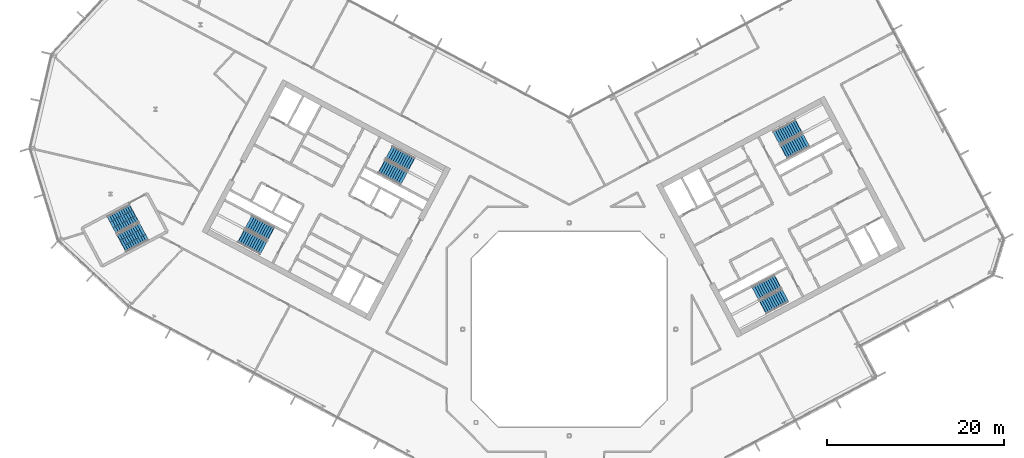
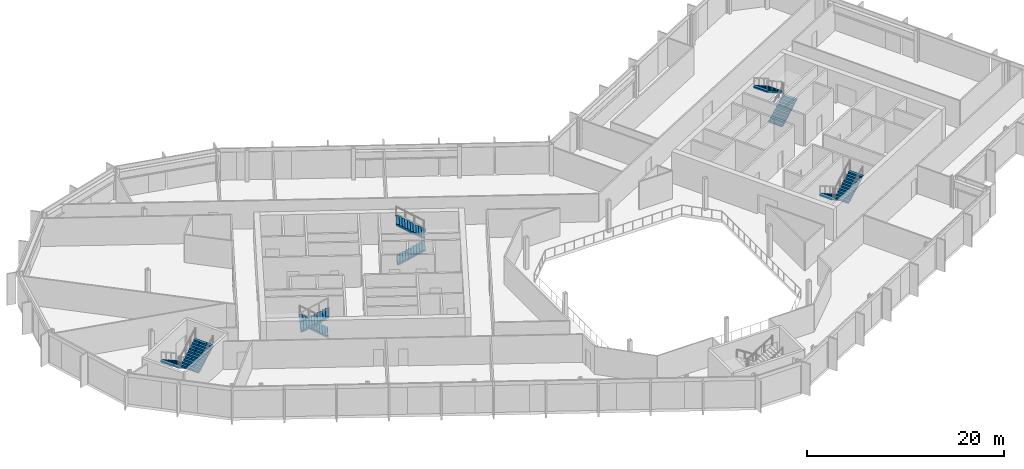
# One storey, part 17 of 26: 10 stair flights, 5 elements without a shape of their own.
"""IFC4 building model written with IfcOpenShell, lengths in metres."""

from ifc_helpers import new_model, si_unit, direction, frame, origin, place, context, subcontext, project, spatial, polyline, outline, extrude, material, type_object, element, aggregate, save


model = new_model("IFC4")

# Units and contexts
model_context = context("Model", 3, precision=1e-05, world=origin(), true_north=direction((0.0, 1.0)))
body_context = subcontext(model_context, "Body", "Model", "MODEL_VIEW")
ifc_project = project(units=[si_unit("LENGTHUNIT", "METRE"), si_unit("AREAUNIT", "SQUARE_METRE"), si_unit("VOLUMEUNIT", "CUBIC_METRE"), si_unit("PLANEANGLEUNIT", "RADIAN"), si_unit("MASSUNIT", "GRAM", prefix="KILO")], contexts=[model_context])

# Site, building, storey
site_placement = place(None, origin())
site = spatial("IfcSite", under=ifc_project, at=site_placement, CompositionType="ELEMENT")
building_placement = place(site_placement, origin())
building = spatial("IfcBuilding", under=site, at=building_placement, Name="Cormorant Relay Tower", CompositionType="ELEMENT")
storey_placement = place(building_placement, frame((0.0, 0.0, 248.10009765625)))
storey = spatial("IfcBuildingStorey", under=building, at=storey_placement, Name="L55", CompositionType="ELEMENT", Elevation=248.10009765625)

# Stair, stair flights
ifc_material_1 = material(Name="Concrete 40 MPa", Category="concrete")
stair_type_1 = type_object("IfcStairType", Name="Exit stair 1500", PredefinedType="HALF_TURN_STAIR", material=ifc_material_1)
stair_1_placement = place(storey_placement, origin())
stair_1 = element("IfcStair", 1, at=stair_1_placement, inside=storey, type_object=stair_type_1, Name="L55 Stair", PredefinedType="HALF_TURN_STAIR")
ifc_material_2 = material(Name="Concrete 40 MPa", Category="concrete")
stair_flight_type_1 = type_object("IfcStairFlightType", Name="Exit stair flight 1650", PredefinedType="STRAIGHT", material=ifc_material_2)
stair_flight_1_placement = place(storey_placement, frame((-21.114501953125, 18.33349609375, 0.0), z_axis=(0.0, 0.0, 1.0), x_axis=(0.882947592859, -0.469471562786, 0.0)))
stair_flight_1 = element("IfcStairFlight", 2, at=stair_flight_1_placement, type_object=stair_flight_type_1, Name="A1 flight 1", NumberOfRisers=11, NumberOfTreads=10, PredefinedType="STRAIGHT", RiserHeight=0.177272727, TreadLength=0.28, context=body_context, shape_type="SweptSolid", body=[
    extrude(outline(polyline([(-0.050048828125, -0.080078125), (-0.050048828125, 0.0), (0.0, 0.0), (0.0, 0.17724609375), (0.280029296875, 0.17724609375), (0.280029296875, 0.3544921875), (0.56005859375, 0.3544921875), (0.56005859375, 0.53173828125), (0.840087890625, 0.53173828125), (0.840087890625, 0.708984375), (1.1201171875, 0.708984375), (1.1201171875, 0.886474609375), (1.39990234375, 0.886474609375), (1.39990234375, 1.063720703125), (1.679931640625, 1.063720703125), (1.679931640625, 1.240966796875), (1.9599609375, 1.240966796875), (1.9599609375, 1.418212890625), (2.239990234375, 1.418212890625), (2.239990234375, 1.595458984375), (2.52001953125, 1.595458984375), (2.52001953125, 1.772705078125), (2.800048828125, 1.772705078125), (2.85009765625, 1.772705078125), (2.85009765625, 1.59521484375), (2.800048828125, 1.59521484375), (0.2802734375, 0.0), (-0.050048828125, -0.080078125)])), frame((0.0, 0.824951171875, 0.0), z_axis=(0.0, -1.0, 0.0), x_axis=(1.0, 0.0, 0.0)), (0.0, 0.0, 1.0), 1.64990234375),
])
stair_flight_2_placement = place(storey_placement, frame((-17.797119140625, 18.6083984375, 1.949951171875), z_axis=(0.0, 0.0, 1.0), x_axis=(-0.882947592859, 0.469471562786, 0.0)))
stair_flight_2 = element("IfcStairFlight", 3, at=stair_flight_2_placement, type_object=stair_flight_type_1, Name="A1 flight 2", NumberOfRisers=11, NumberOfTreads=10, PredefinedType="STRAIGHT", RiserHeight=0.177272727, TreadLength=0.28, context=body_context, shape_type="SweptSolid", body=[
    extrude(outline(polyline([(-0.050048828125, -0.080078125), (-0.050048828125, 0.0), (0.0, 0.0), (0.0, 0.17724609375), (0.280029296875, 0.17724609375), (0.280029296875, 0.3544921875), (0.56005859375, 0.3544921875), (0.56005859375, 0.53173828125), (0.840087890625, 0.53173828125), (0.840087890625, 0.708984375), (1.1201171875, 0.708984375), (1.1201171875, 0.886474609375), (1.39990234375, 0.886474609375), (1.39990234375, 1.063720703125), (1.679931640625, 1.063720703125), (1.679931640625, 1.240966796875), (1.9599609375, 1.240966796875), (1.9599609375, 1.418212890625), (2.239990234375, 1.418212890625), (2.239990234375, 1.595458984375), (2.52001953125, 1.595458984375), (2.52001953125, 1.772705078125), (2.800048828125, 1.772705078125), (2.85009765625, 1.772705078125), (2.85009765625, 1.59521484375), (2.800048828125, 1.59521484375), (0.2802734375, 0.0), (-0.050048828125, -0.080078125)])), frame((0.0, 0.824951171875, 0.0), z_axis=(0.0, -1.0, 0.0), x_axis=(1.0, 0.0, 0.0)), (0.0, 0.0, 1.0), 1.64990234375),
])
aggregate(stair_1, [stair_flight_1, stair_flight_2])

stair_2_placement = place(storey_placement, origin())
stair_2 = element("IfcStair", 4, at=stair_2_placement, inside=storey, type_object=stair_type_1, Name="L55 Stair", PredefinedType="HALF_TURN_STAIR")
stair_flight_3_placement = place(storey_placement, frame((-33.62841796875, 10.773681640625, 0.0), z_axis=(0.0, 0.0, 1.0), x_axis=(-0.882947592859, 0.469471562786, 0.0)))
stair_flight_3 = element("IfcStairFlight", 5, at=stair_flight_3_placement, type_object=stair_flight_type_1, Name="A2 flight 1", NumberOfRisers=11, NumberOfTreads=10, PredefinedType="STRAIGHT", RiserHeight=0.177272727, TreadLength=0.28, context=body_context, shape_type="SweptSolid", body=[
    extrude(outline(polyline([(-0.050048828125, -0.080078125), (-0.050048828125, 0.0), (0.0, 0.0), (0.0, 0.17724609375), (0.280029296875, 0.17724609375), (0.280029296875, 0.3544921875), (0.56005859375, 0.3544921875), (0.56005859375, 0.53173828125), (0.840087890625, 0.53173828125), (0.840087890625, 0.708984375), (1.1201171875, 0.708984375), (1.1201171875, 0.886474609375), (1.39990234375, 0.886474609375), (1.39990234375, 1.063720703125), (1.679931640625, 1.063720703125), (1.679931640625, 1.240966796875), (1.9599609375, 1.240966796875), (1.9599609375, 1.418212890625), (2.239990234375, 1.418212890625), (2.239990234375, 1.595458984375), (2.52001953125, 1.595458984375), (2.52001953125, 1.772705078125), (2.800048828125, 1.772705078125), (2.85009765625, 1.772705078125), (2.85009765625, 1.59521484375), (2.800048828125, 1.59521484375), (0.2802734375, 0.0), (-0.050048828125, -0.080078125)])), frame((0.0, 0.824951171875, 0.0), z_axis=(0.0, -1.0, 0.0), x_axis=(1.0, 0.0, 0.0)), (0.0, 0.0, 1.0), 1.64990234375),
])
stair_flight_4_placement = place(storey_placement, frame((-36.945556640625, 10.498779296875, 1.949951171875), z_axis=(0.0, 0.0, 1.0), x_axis=(0.882947592859, -0.469471562786, 0.0)))
stair_flight_4 = element("IfcStairFlight", 6, at=stair_flight_4_placement, type_object=stair_flight_type_1, Name="A2 flight 2", NumberOfRisers=11, NumberOfTreads=10, PredefinedType="STRAIGHT", RiserHeight=0.177272727, TreadLength=0.28, context=body_context, shape_type="SweptSolid", body=[
    extrude(outline(polyline([(-0.050048828125, -0.080078125), (-0.050048828125, 0.0), (0.0, 0.0), (0.0, 0.17724609375), (0.280029296875, 0.17724609375), (0.280029296875, 0.3544921875), (0.56005859375, 0.3544921875), (0.56005859375, 0.53173828125), (0.840087890625, 0.53173828125), (0.840087890625, 0.708984375), (1.1201171875, 0.708984375), (1.1201171875, 0.886474609375), (1.39990234375, 0.886474609375), (1.39990234375, 1.063720703125), (1.679931640625, 1.063720703125), (1.679931640625, 1.240966796875), (1.9599609375, 1.240966796875), (1.9599609375, 1.418212890625), (2.239990234375, 1.418212890625), (2.239990234375, 1.595458984375), (2.52001953125, 1.595458984375), (2.52001953125, 1.772705078125), (2.800048828125, 1.772705078125), (2.85009765625, 1.772705078125), (2.85009765625, 1.59521484375), (2.800048828125, 1.59521484375), (0.2802734375, 0.0), (-0.050048828125, -0.080078125)])), frame((0.0, 0.824951171875, 0.0), z_axis=(0.0, -1.0, 0.0), x_axis=(1.0, 0.0, 0.0)), (0.0, 0.0, 1.0), 1.64990234375),
])
aggregate(stair_2, [stair_flight_3, stair_flight_4])

stair_3_placement = place(storey_placement, origin())
stair_3 = element("IfcStair", 7, at=stair_3_placement, inside=storey, type_object=stair_type_1, Name="L55 Stair", PredefinedType="HALF_TURN_STAIR")
stair_flight_5_placement = place(storey_placement, frame((23.474365234375, 5.374755859375, 0.0), z_axis=(0.0, 0.0, 1.0), x_axis=(-0.882947592859, -0.469471562786, 0.0)))
stair_flight_5 = element("IfcStairFlight", 8, at=stair_flight_5_placement, type_object=stair_flight_type_1, Name="B1 flight 1", NumberOfRisers=11, NumberOfTreads=10, PredefinedType="STRAIGHT", RiserHeight=0.177272727, TreadLength=0.28, context=body_context, shape_type="SweptSolid", body=[
    extrude(outline(polyline([(-0.050048828125, -0.080078125), (-0.050048828125, 0.0), (0.0, 0.0), (0.0, 0.17724609375), (0.280029296875, 0.17724609375), (0.280029296875, 0.3544921875), (0.56005859375, 0.3544921875), (0.56005859375, 0.53173828125), (0.840087890625, 0.53173828125), (0.840087890625, 0.708984375), (1.1201171875, 0.708984375), (1.1201171875, 0.886474609375), (1.39990234375, 0.886474609375), (1.39990234375, 1.063720703125), (1.679931640625, 1.063720703125), (1.679931640625, 1.240966796875), (1.9599609375, 1.240966796875), (1.9599609375, 1.418212890625), (2.239990234375, 1.418212890625), (2.239990234375, 1.595458984375), (2.52001953125, 1.595458984375), (2.52001953125, 1.772705078125), (2.800048828125, 1.772705078125), (2.85009765625, 1.772705078125), (2.85009765625, 1.59521484375), (2.800048828125, 1.59521484375), (0.2802734375, 0.0), (-0.050048828125, -0.080078125)])), frame((0.0, 0.824951171875, 0.0), z_axis=(0.0, -1.0, 0.0), x_axis=(1.0, 0.0, 0.0)), (0.0, 0.0, 1.0), 1.64990234375),
])
stair_flight_6_placement = place(storey_placement, frame((21.84716796875, 2.470947265625, 1.949951171875), z_axis=(0.0, 0.0, 1.0), x_axis=(0.882947592859, 0.469471562786, 0.0)))
stair_flight_6 = element("IfcStairFlight", 9, at=stair_flight_6_placement, type_object=stair_flight_type_1, Name="B1 flight 2", NumberOfRisers=11, NumberOfTreads=10, PredefinedType="STRAIGHT", RiserHeight=0.177272727, TreadLength=0.28, context=body_context, shape_type="SweptSolid", body=[
    extrude(outline(polyline([(-0.050048828125, -0.080078125), (-0.050048828125, 0.0), (0.0, 0.0), (0.0, 0.17724609375), (0.280029296875, 0.17724609375), (0.280029296875, 0.3544921875), (0.56005859375, 0.3544921875), (0.56005859375, 0.53173828125), (0.840087890625, 0.53173828125), (0.840087890625, 0.708984375), (1.1201171875, 0.708984375), (1.1201171875, 0.886474609375), (1.39990234375, 0.886474609375), (1.39990234375, 1.063720703125), (1.679931640625, 1.063720703125), (1.679931640625, 1.240966796875), (1.9599609375, 1.240966796875), (1.9599609375, 1.418212890625), (2.239990234375, 1.418212890625), (2.239990234375, 1.595458984375), (2.52001953125, 1.595458984375), (2.52001953125, 1.772705078125), (2.800048828125, 1.772705078125), (2.85009765625, 1.772705078125), (2.85009765625, 1.59521484375), (2.800048828125, 1.59521484375), (0.2802734375, 0.0), (-0.050048828125, -0.080078125)])), frame((0.0, 0.824951171875, 0.0), z_axis=(0.0, -1.0, 0.0), x_axis=(1.0, 0.0, 0.0)), (0.0, 0.0, 1.0), 1.64990234375),
])
aggregate(stair_3, [stair_flight_5, stair_flight_6])

stair_4_placement = place(storey_placement, origin())
stair_4 = element("IfcStair", 10, at=stair_4_placement, inside=storey, type_object=stair_type_1, Name="L55 Stair", PredefinedType="HALF_TURN_STAIR")
stair_flight_7_placement = place(storey_placement, frame((24.20458984375, 19.976806640625, 0.0), z_axis=(0.0, 0.0, 1.0), x_axis=(0.882947592859, 0.469471562786, 0.0)))
stair_flight_7 = element("IfcStairFlight", 11, at=stair_flight_7_placement, type_object=stair_flight_type_1, Name="B2 flight 1", NumberOfRisers=11, NumberOfTreads=10, PredefinedType="STRAIGHT", RiserHeight=0.177272727, TreadLength=0.28, context=body_context, shape_type="SweptSolid", body=[
    extrude(outline(polyline([(-0.050048828125, -0.080078125), (-0.050048828125, 0.0), (0.0, 0.0), (0.0, 0.17724609375), (0.280029296875, 0.17724609375), (0.280029296875, 0.3544921875), (0.56005859375, 0.3544921875), (0.56005859375, 0.53173828125), (0.840087890625, 0.53173828125), (0.840087890625, 0.708984375), (1.1201171875, 0.708984375), (1.1201171875, 0.886474609375), (1.39990234375, 0.886474609375), (1.39990234375, 1.063720703125), (1.679931640625, 1.063720703125), (1.679931640625, 1.240966796875), (1.9599609375, 1.240966796875), (1.9599609375, 1.418212890625), (2.239990234375, 1.418212890625), (2.239990234375, 1.595458984375), (2.52001953125, 1.595458984375), (2.52001953125, 1.772705078125), (2.800048828125, 1.772705078125), (2.85009765625, 1.772705078125), (2.85009765625, 1.59521484375), (2.800048828125, 1.59521484375), (0.2802734375, 0.0), (-0.050048828125, -0.080078125)])), frame((0.0, 0.824951171875, 0.0), z_axis=(0.0, -1.0, 0.0), x_axis=(1.0, 0.0, 0.0)), (0.0, 0.0, 1.0), 1.64990234375),
])
stair_flight_8_placement = place(storey_placement, frame((25.831787109375, 22.880615234375, 1.949951171875), z_axis=(0.0, 0.0, 1.0), x_axis=(-0.882947592859, -0.469471562786, 0.0)))
stair_flight_8 = element("IfcStairFlight", 12, at=stair_flight_8_placement, type_object=stair_flight_type_1, Name="B2 flight 2", NumberOfRisers=11, NumberOfTreads=10, PredefinedType="STRAIGHT", RiserHeight=0.177272727, TreadLength=0.28, context=body_context, shape_type="SweptSolid", body=[
    extrude(outline(polyline([(-0.050048828125, -0.080078125), (-0.050048828125, 0.0), (0.0, 0.0), (0.0, 0.17724609375), (0.280029296875, 0.17724609375), (0.280029296875, 0.3544921875), (0.56005859375, 0.3544921875), (0.56005859375, 0.53173828125), (0.840087890625, 0.53173828125), (0.840087890625, 0.708984375), (1.1201171875, 0.708984375), (1.1201171875, 0.886474609375), (1.39990234375, 0.886474609375), (1.39990234375, 1.063720703125), (1.679931640625, 1.063720703125), (1.679931640625, 1.240966796875), (1.9599609375, 1.240966796875), (1.9599609375, 1.418212890625), (2.239990234375, 1.418212890625), (2.239990234375, 1.595458984375), (2.52001953125, 1.595458984375), (2.52001953125, 1.772705078125), (2.800048828125, 1.772705078125), (2.85009765625, 1.772705078125), (2.85009765625, 1.59521484375), (2.800048828125, 1.59521484375), (0.2802734375, 0.0), (-0.050048828125, -0.080078125)])), frame((0.0, 0.824951171875, 0.0), z_axis=(0.0, -1.0, 0.0), x_axis=(1.0, 0.0, 0.0)), (0.0, 0.0, 1.0), 1.64990234375),
])
aggregate(stair_4, [stair_flight_7, stair_flight_8])

ifc_material_3 = material(Name="Concrete 40 MPa", Category="concrete")
stair_type_2 = type_object("IfcStairType", Name="Remote exit stair 2200", PredefinedType="HALF_TURN_STAIR", material=ifc_material_3)
stair_5_placement = place(storey_placement, origin())
stair_5 = element("IfcStair", 13, at=stair_5_placement, inside=storey, type_object=stair_type_2, Name="L55 Stair", PredefinedType="HALF_TURN_STAIR")
ifc_material_4 = material(Name="Concrete 40 MPa", Category="concrete")
stair_flight_type_2 = type_object("IfcStairFlightType", Name="Remote exit stair flight 2200", PredefinedType="STRAIGHT", material=ifc_material_4)
stair_flight_9_placement = place(storey_placement, frame((-49.062255859375, 13.08251953125, 0.0), z_axis=(0.0, 0.0, 1.0), x_axis=(-0.882947502727, -0.4694717323, 0.0)))
stair_flight_9 = element("IfcStairFlight", 14, at=stair_flight_9_placement, type_object=stair_flight_type_2, Name="RP1 flight 1", NumberOfRisers=11, NumberOfTreads=10, PredefinedType="STRAIGHT", RiserHeight=0.177272727, TreadLength=0.28, context=body_context, shape_type="SweptSolid", body=[
    extrude(outline(polyline([(-0.050048828125, -0.080078125), (-0.050048828125, 0.0), (0.0, 0.0), (0.0, 0.17724609375), (0.280029296875, 0.17724609375), (0.280029296875, 0.3544921875), (0.56005859375, 0.3544921875), (0.56005859375, 0.53173828125), (0.840087890625, 0.53173828125), (0.840087890625, 0.708984375), (1.1201171875, 0.708984375), (1.1201171875, 0.886474609375), (1.39990234375, 0.886474609375), (1.39990234375, 1.063720703125), (1.679931640625, 1.063720703125), (1.679931640625, 1.240966796875), (1.9599609375, 1.240966796875), (1.9599609375, 1.418212890625), (2.239990234375, 1.418212890625), (2.239990234375, 1.595458984375), (2.52001953125, 1.595458984375), (2.52001953125, 1.772705078125), (2.800048828125, 1.772705078125), (2.85009765625, 1.772705078125), (2.85009765625, 1.59521484375), (2.800048828125, 1.59521484375), (0.2802734375, 0.0), (-0.050048828125, -0.080078125)])), frame((0.0, 1.10009765625, 0.0), z_axis=(0.0, -1.0, 0.0), x_axis=(1.0, 0.0, 0.0)), (0.0, 0.0, 1.0), 0.719970703125),
    extrude(outline(polyline([(-0.050048828125, -0.080078125), (-0.050048828125, 0.0), (0.0, 0.0), (0.0, 0.17724609375), (0.280029296875, 0.17724609375), (0.280029296875, 0.3544921875), (0.56005859375, 0.3544921875), (0.56005859375, 0.53173828125), (0.840087890625, 0.53173828125), (0.840087890625, 0.708984375), (1.1201171875, 0.708984375), (1.1201171875, 0.886474609375), (1.39990234375, 0.886474609375), (1.39990234375, 1.063720703125), (1.679931640625, 1.063720703125), (1.679931640625, 1.240966796875), (1.9599609375, 1.240966796875), (1.9599609375, 1.418212890625), (2.239990234375, 1.418212890625), (2.239990234375, 1.595458984375), (2.52001953125, 1.595458984375), (2.52001953125, 1.772705078125), (2.800048828125, 1.772705078125), (2.85009765625, 1.772705078125), (2.85009765625, 1.59521484375), (2.800048828125, 1.59521484375), (0.2802734375, 0.0), (-0.050048828125, -0.080078125)])), frame((0.0, 0.360107421875, 0.0), z_axis=(0.0, -1.0, 0.0), x_axis=(1.0, 0.0, 0.0)), (0.0, 0.0, 1.0), 0.719970703125),
    extrude(outline(polyline([(-0.050048828125, -0.080078125), (-0.050048828125, 0.0), (0.0, 0.0), (0.0, 0.17724609375), (0.280029296875, 0.17724609375), (0.280029296875, 0.3544921875), (0.56005859375, 0.3544921875), (0.56005859375, 0.53173828125), (0.840087890625, 0.53173828125), (0.840087890625, 0.708984375), (1.1201171875, 0.708984375), (1.1201171875, 0.886474609375), (1.39990234375, 0.886474609375), (1.39990234375, 1.063720703125), (1.679931640625, 1.063720703125), (1.679931640625, 1.240966796875), (1.9599609375, 1.240966796875), (1.9599609375, 1.418212890625), (2.239990234375, 1.418212890625), (2.239990234375, 1.595458984375), (2.52001953125, 1.595458984375), (2.52001953125, 1.772705078125), (2.800048828125, 1.772705078125), (2.85009765625, 1.772705078125), (2.85009765625, 1.59521484375), (2.800048828125, 1.59521484375), (0.2802734375, 0.0), (-0.050048828125, -0.080078125)])), frame((0.0, -0.3798828125, 0.0), z_axis=(0.0, -1.0, 0.0), x_axis=(1.0, 0.0, 0.0)), (0.0, 0.0, 1.0), 0.719970703125),
])
stair_flight_10_placement = place(storey_placement, frame((-50.431396484375, 9.693115234375, 1.949951171875), z_axis=(0.0, 0.0, 1.0), x_axis=(0.882947502727, 0.4694717323, 0.0)))
stair_flight_10 = element("IfcStairFlight", 15, at=stair_flight_10_placement, type_object=stair_flight_type_2, Name="RP1 flight 2", NumberOfRisers=11, NumberOfTreads=10, PredefinedType="STRAIGHT", RiserHeight=0.177272727, TreadLength=0.28, context=body_context, shape_type="SweptSolid", body=[
    extrude(outline(polyline([(-0.050048828125, -0.080078125), (-0.050048828125, 0.0), (0.0, 0.0), (0.0, 0.17724609375), (0.280029296875, 0.17724609375), (0.280029296875, 0.3544921875), (0.56005859375, 0.3544921875), (0.56005859375, 0.53173828125), (0.840087890625, 0.53173828125), (0.840087890625, 0.708984375), (1.1201171875, 0.708984375), (1.1201171875, 0.886474609375), (1.39990234375, 0.886474609375), (1.39990234375, 1.063720703125), (1.679931640625, 1.063720703125), (1.679931640625, 1.240966796875), (1.9599609375, 1.240966796875), (1.9599609375, 1.418212890625), (2.239990234375, 1.418212890625), (2.239990234375, 1.595458984375), (2.52001953125, 1.595458984375), (2.52001953125, 1.772705078125), (2.800048828125, 1.772705078125), (2.85009765625, 1.772705078125), (2.85009765625, 1.59521484375), (2.800048828125, 1.59521484375), (0.2802734375, 0.0), (-0.050048828125, -0.080078125)])), frame((0.0, 1.10009765625, 0.0), z_axis=(0.0, -1.0, 0.0), x_axis=(1.0, 0.0, 0.0)), (0.0, 0.0, 1.0), 0.719970703125),
    extrude(outline(polyline([(-0.050048828125, -0.080078125), (-0.050048828125, 0.0), (0.0, 0.0), (0.0, 0.17724609375), (0.280029296875, 0.17724609375), (0.280029296875, 0.3544921875), (0.56005859375, 0.3544921875), (0.56005859375, 0.53173828125), (0.840087890625, 0.53173828125), (0.840087890625, 0.708984375), (1.1201171875, 0.708984375), (1.1201171875, 0.886474609375), (1.39990234375, 0.886474609375), (1.39990234375, 1.063720703125), (1.679931640625, 1.063720703125), (1.679931640625, 1.240966796875), (1.9599609375, 1.240966796875), (1.9599609375, 1.418212890625), (2.239990234375, 1.418212890625), (2.239990234375, 1.595458984375), (2.52001953125, 1.595458984375), (2.52001953125, 1.772705078125), (2.800048828125, 1.772705078125), (2.85009765625, 1.772705078125), (2.85009765625, 1.59521484375), (2.800048828125, 1.59521484375), (0.2802734375, 0.0), (-0.050048828125, -0.080078125)])), frame((0.0, 0.360107421875, 0.0), z_axis=(0.0, -1.0, 0.0), x_axis=(1.0, 0.0, 0.0)), (0.0, 0.0, 1.0), 0.719970703125),
    extrude(outline(polyline([(-0.050048828125, -0.080078125), (-0.050048828125, 0.0), (0.0, 0.0), (0.0, 0.17724609375), (0.280029296875, 0.17724609375), (0.280029296875, 0.3544921875), (0.56005859375, 0.3544921875), (0.56005859375, 0.53173828125), (0.840087890625, 0.53173828125), (0.840087890625, 0.708984375), (1.1201171875, 0.708984375), (1.1201171875, 0.886474609375), (1.39990234375, 0.886474609375), (1.39990234375, 1.063720703125), (1.679931640625, 1.063720703125), (1.679931640625, 1.240966796875), (1.9599609375, 1.240966796875), (1.9599609375, 1.418212890625), (2.239990234375, 1.418212890625), (2.239990234375, 1.595458984375), (2.52001953125, 1.595458984375), (2.52001953125, 1.772705078125), (2.800048828125, 1.772705078125), (2.85009765625, 1.772705078125), (2.85009765625, 1.59521484375), (2.800048828125, 1.59521484375), (0.2802734375, 0.0), (-0.050048828125, -0.080078125)])), frame((0.0, -0.3798828125, 0.0), z_axis=(0.0, -1.0, 0.0), x_axis=(1.0, 0.0, 0.0)), (0.0, 0.0, 1.0), 0.719970703125),
])
aggregate(stair_5, [stair_flight_9, stair_flight_10])

save(model, "model.ifc")
